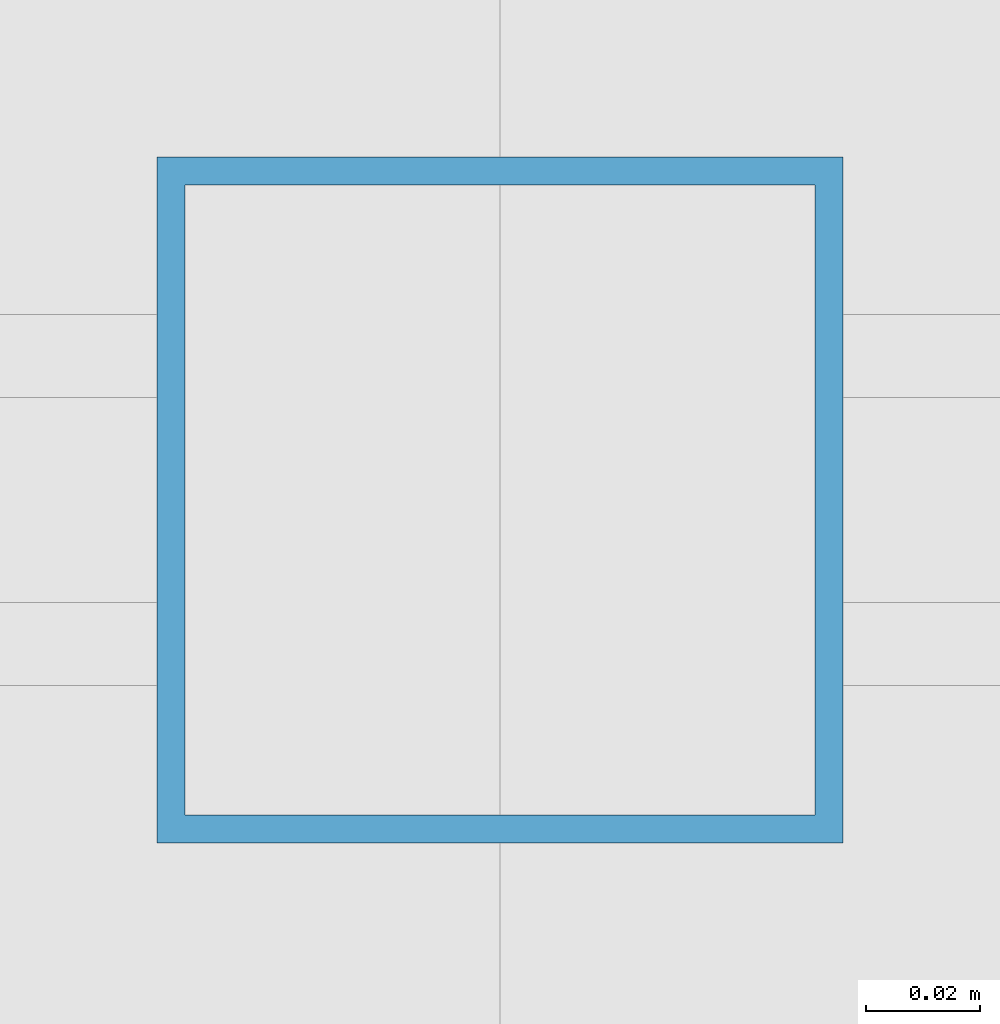
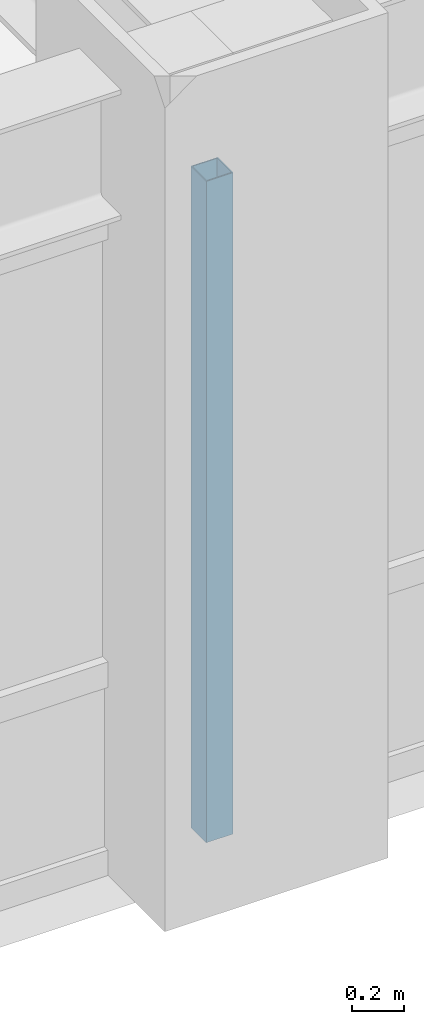
# One storey, part 4 of 24: 1 member, 1 element without a shape of its own.
"""IFC4 building model written with IfcOpenShell, lengths in metres."""

from ifc_helpers import new_model, si_unit, direction, frame, origin, origin_2d, place, context, subcontext, project, spatial, hollow_rectangle, extrude, source, transform, mapped, material, material_profile, profile_set, type_object, element, aggregate, save


model = new_model("IFC4")

# Units and contexts
model_context = context("Model", 3, precision=1e-05, world=origin(), true_north=direction((0.0, 1.0)))
body_context = subcontext(model_context, "Body", "Model", "MODEL_VIEW")
ifc_project = project(units=[si_unit("LENGTHUNIT", "METRE"), si_unit("AREAUNIT", "SQUARE_METRE"), si_unit("VOLUMEUNIT", "CUBIC_METRE"), si_unit("PLANEANGLEUNIT", "RADIAN"), si_unit("MASSUNIT", "GRAM", prefix="KILO")], contexts=[model_context])

# Site, building, storey
site_placement = place(None, origin())
site = spatial("IfcSite", under=ifc_project, at=site_placement, CompositionType="ELEMENT")
building_placement = place(site_placement, origin())
building = spatial("IfcBuilding", under=site, at=building_placement, Name="Khorayat Bourse Tower", CompositionType="ELEMENT")
storey_placement = place(building_placement, frame((0.0, 0.0, 219.10009765625)))
storey = spatial("IfcBuildingStorey", under=building, at=storey_placement, Name="L51", CompositionType="ELEMENT", Elevation=219.10009765625)

# Curtain wall, member
ifc_material = material(Name="Aluminium EN AW-6063 T6", Category="aluminium")
curtain_wall_type = type_object("IfcCurtainWallType", Name="CW-SYS-03", PredefinedType="NOTDEFINED", material=ifc_material)
curtain_wall_placement = place(storey_placement, origin())
curtain_wall = element("IfcCurtainWall", 1, at=curtain_wall_placement, inside=storey, type_object=curtain_wall_type, Name="L51 Curtain Wall CW-L51-S1", PredefinedType="NOTDEFINED")
ifc_material_profile = material_profile(ifc_material, hollow_rectangle(XDim=0.1201171875, YDim=0.1201171875, WallThickness=0.0048828125, at=origin_2d()), Name="ALU 120x120x5")
ifc_profile_set = profile_set([ifc_material_profile], Name="Aluminium EN AW-6063 T6")
member_type = type_object("IfcMemberType", Name="CWM-VERT-120", PredefinedType="MULLION", material=ifc_profile_set)
shared_shape = source(origin(), body_context, "Body", "SweptSolid", [
    extrude(hollow_rectangle(XDim=0.1201171875, YDim=0.1201171875, WallThickness=0.0048828125, at=origin_2d()), origin(), (0.0, 0.0, 1.0), 3.1298828125),
])
member_placement = place(storey_placement, frame((0.0, -30.0, 0.0), z_axis=(0.0, 0.0, 1.0), x_axis=(0.0, 1.0, 0.0)))
member = element("IfcMember", 2, at=member_placement, type_object=member_type, Name="CW-L51-S1 Vertical Mullion 2", PredefinedType="MULLION", context=body_context, shape_type="MappedRepresentation", body=[
    mapped(shared_shape, transform((0.0, 0.0, 0.0), scale=1.0)),
])
aggregate(curtain_wall, [member])

save(model, "model.ifc")
